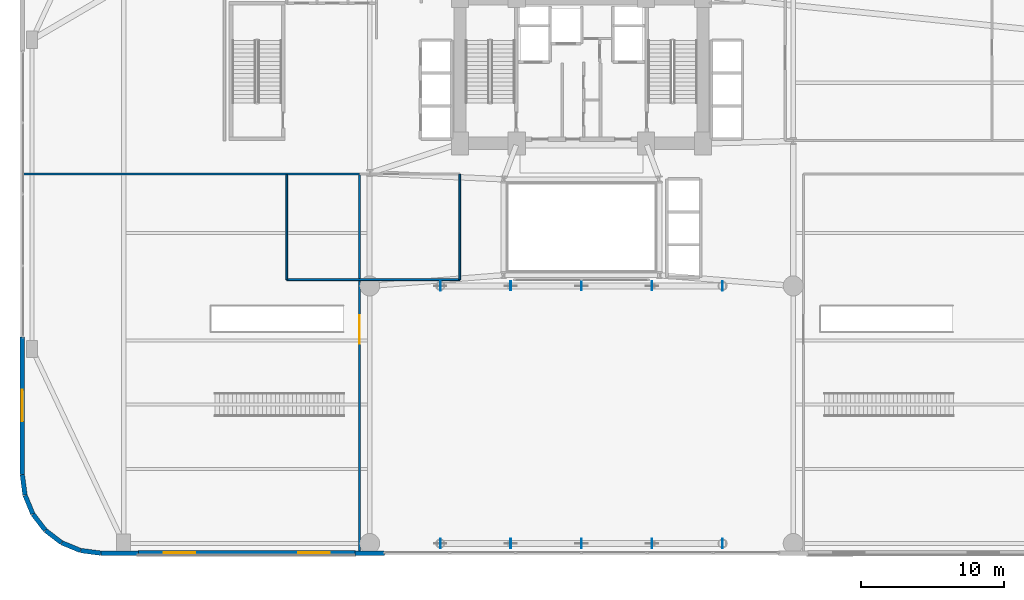
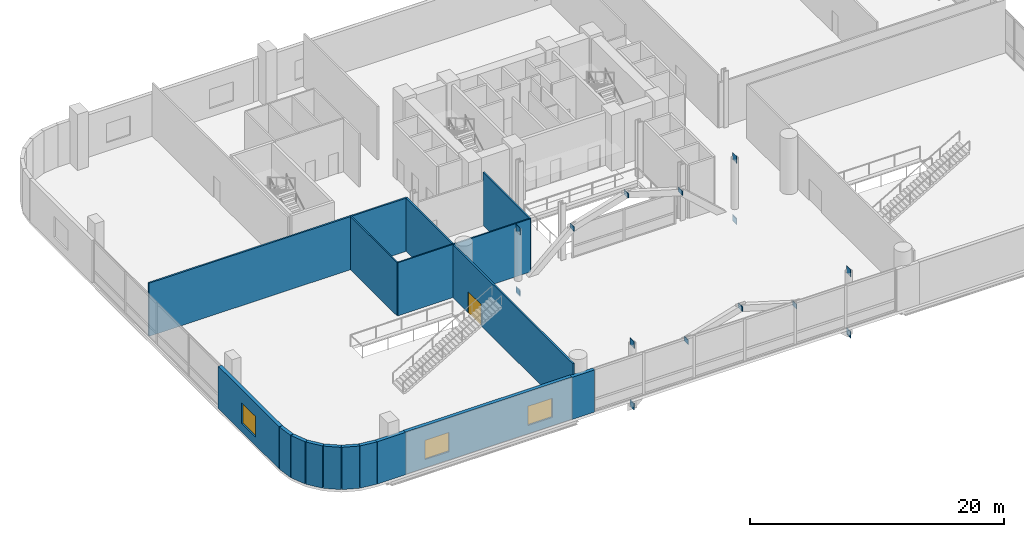
# One storey, part 25 of 36: 24 plates, 15 walls, 3 windows, 1 door, 4 openings.
"""IFC4 building model written with IfcOpenShell, lengths in metres."""

from ifc_helpers import new_model, si_unit, direction, frame, frame_2d, origin, origin_2d, place, context, subcontext, project, spatial, rectangle, extrude, source, transform, mapped, material, layer, layer_set, type_object, element, fill, save


model = new_model("IFC4")

# Units and contexts
model_context = context("Model", 3, precision=1e-05, world=origin(), true_north=direction((0.0, 1.0)))
body_context = subcontext(model_context, "Body", "Model", "MODEL_VIEW")
ifc_project = project(units=[si_unit("LENGTHUNIT", "METRE"), si_unit("AREAUNIT", "SQUARE_METRE"), si_unit("VOLUMEUNIT", "CUBIC_METRE"), si_unit("PLANEANGLEUNIT", "RADIAN"), si_unit("MASSUNIT", "GRAM", prefix="KILO")], contexts=[model_context])

# Site, building, storey
site_placement = place(None, origin())
site = spatial("IfcSite", under=ifc_project, at=site_placement, CompositionType="ELEMENT")
building_placement = place(site_placement, origin())
building = spatial("IfcBuilding", under=site, at=building_placement, Name="Varnelok Gate Tower", CompositionType="ELEMENT")
storey_placement = place(building_placement, frame((0.0, 0.0, 10.800048828125)))
storey = spatial("IfcBuildingStorey", under=building, at=storey_placement, Name="L02", CompositionType="ELEMENT", Elevation=10.800048828125)

# Plates
ifc_material_1 = material(Name="Structural Steel ASTM A572 Grade 50", Category="steel")
ifc_layer_1 = layer(ifc_material_1, 0.030029296875)
ifc_layer_set_1 = layer_set([ifc_layer_1], Name="Structural Steel ASTM A572 Grade 50")
plate_type = type_object("IfcPlateType", Name="PLT-ENDCAP-30", PredefinedType="SHEET", material=ifc_layer_set_1)
shared_shape_1 = source(origin(), body_context, "Body", "SweptSolid", [
    extrude(rectangle(XDim=0.030029296875, YDim=0.639892578125, at=origin_2d()), origin(), (0.0, 0.0, 1.0), 0.43994140625),
])
for number, where, z_axis, x_axis, name in (
    (1, (29.345458984375, 0.800048828125, -1.375732421875), (0.0, 0.0, 1.0), (1.0, 0.0, 0.0), "L02 hollow member sealed end plate 1"),
    (2, (34.25439453125, 0.800048828125, 3.062255859375), (0.0, 0.0, 1.0), (1.0, 0.0, 0.0), "L02 hollow member sealed end plate 2"),
    (3, (34.282470703125, 0.800048828125, 3.078125), (0.0, 0.0, 1.0), (1.0, 0.0, 0.0), "L02 hollow member sealed end plate 1"),
    (4, (39.18408203125, 0.800048828125, 4.55517578125), (0.0, 0.0, 1.0), (1.0, 0.0, 0.0), "L02 hollow member sealed end plate 2"),
    (5, (39.2158203125, 0.800048828125, 4.55517578125), (0.0, 0.0, 1.0), (1.0, 0.0, 0.0), "L02 hollow member sealed end plate 1"),
    (6, (44.117431640625, 0.800048828125, 3.078125), (0.0, 0.0, 1.0), (1.0, 0.0, 0.0), "L02 hollow member sealed end plate 2"),
    (7, (44.1455078125, 0.800048828125, 3.062255859375), (0.0, 0.0, 1.0), (1.0, 0.0, 0.0), "L02 hollow member sealed end plate 1"),
    (8, (49.054443359375, 0.800048828125, -1.375732421875), (0.0, 0.0, 1.0), (1.0, 0.0, 0.0), "L02 hollow member sealed end plate 2"),
    (9, (29.345458984375, 18.800048828125, -1.375732421875), (0.0, 0.0, 1.0), (1.0, 0.0, 0.0), "L02 hollow member sealed end plate 1"),
    (10, (34.25439453125, 18.800048828125, 3.062255859375), (0.0, 0.0, 1.0), (1.0, 0.0, 0.0), "L02 hollow member sealed end plate 2"),
    (11, (34.282470703125, 18.800048828125, 3.078125), (0.0, 0.0, 1.0), (1.0, 0.0, 0.0), "L02 hollow member sealed end plate 1"),
    (12, (39.18408203125, 18.800048828125, 4.55517578125), (0.0, 0.0, 1.0), (1.0, 0.0, 0.0), "L02 hollow member sealed end plate 2"),
    (13, (39.2158203125, 18.800048828125, 4.55517578125), (0.0, 0.0, 1.0), (1.0, 0.0, 0.0), "L02 hollow member sealed end plate 1"),
    (14, (44.117431640625, 18.800048828125, 3.078125), (0.0, 0.0, 1.0), (1.0, 0.0, 0.0), "L02 hollow member sealed end plate 2"),
    (15, (44.1455078125, 18.800048828125, 3.062255859375), (0.0, 0.0, 1.0), (1.0, 0.0, 0.0), "L02 hollow member sealed end plate 1"),
    (16, (49.054443359375, 18.800048828125, -1.375732421875), (0.0, 0.0, 1.0), (1.0, 0.0, 0.0), "L02 hollow member sealed end plate 2"),
):
    element("IfcPlate", number, at=place(storey_placement, frame(where, z_axis=z_axis, x_axis=x_axis)), inside=storey, type_object=plate_type, Name=name, PredefinedType="SHEET", context=body_context, shape_type="MappedRepresentation", body=[
        mapped(shared_shape_1, transform((0.0, 0.0, 0.0), scale=1.0)),
    ])
shared_shape_2 = source(origin(), body_context, "Body", "SweptSolid", [
    extrude(rectangle(XDim=0.030029296875, YDim=0.659912109375, at=origin_2d()), origin(), (0.0, 0.0, 1.0), 0.659912109375),
])
for number, where, z_axis, x_axis, name in (
    (17, (29.333251953125, 0.800048828125, -1.47998046875), (0.0, 0.0, 1.0), (1.0, 0.0, 0.0), "L02 hollow member sealed end plate 1"),
    (18, (29.333251953125, 0.800048828125, 4.45361328125), (0.0, 0.0, 1.0), (1.0, 0.0, 0.0), "L02 hollow member sealed end plate 2"),
    (19, (49.066650390625, 0.800048828125, -1.47998046875), (0.0, 0.0, 1.0), (1.0, 0.0, 0.0), "L02 hollow member sealed end plate 1"),
    (20, (49.066650390625, 0.800048828125, 4.45361328125), (0.0, 0.0, 1.0), (1.0, 0.0, 0.0), "L02 hollow member sealed end plate 2"),
    (21, (29.333251953125, 18.800048828125, -1.47998046875), (0.0, 0.0, 1.0), (1.0, 0.0, 0.0), "L02 hollow member sealed end plate 1"),
    (22, (29.333251953125, 18.800048828125, 4.45361328125), (0.0, 0.0, 1.0), (1.0, 0.0, 0.0), "L02 hollow member sealed end plate 2"),
    (23, (49.066650390625, 18.800048828125, -1.47998046875), (0.0, 0.0, 1.0), (1.0, 0.0, 0.0), "L02 hollow member sealed end plate 1"),
    (24, (49.066650390625, 18.800048828125, 4.45361328125), (0.0, 0.0, 1.0), (1.0, 0.0, 0.0), "L02 hollow member sealed end plate 2"),
):
    element("IfcPlate", number, at=place(storey_placement, frame(where, z_axis=z_axis, x_axis=x_axis)), inside=storey, type_object=plate_type, Name=name, PredefinedType="SHEET", context=body_context, shape_type="MappedRepresentation", body=[
        mapped(shared_shape_2, transform((0.0, 0.0, 0.0), scale=1.0)),
    ])

# Wall, openings, windows
ifc_material_2 = material(Name="Concrete C45/55", Category="concrete")
ifc_layer_2 = layer(ifc_material_2, 0.320068359375)
ifc_layer_set_2 = layer_set([ifc_layer_2], Name="Concrete C45/55")
wall_type_1 = type_object("IfcWallType", Name="EW-POD-320", PredefinedType="SOLIDWALL", material=ifc_layer_set_2)
wall_1_placement = place(storey_placement, frame((23.39990234375, 0.159912109375, 0.0), z_axis=(0.0, 0.0, 1.0), x_axis=(-1.0, 0.0, 0.0)))
wall_1 = element("IfcWall", 25, at=wall_1_placement, inside=storey, type_object=wall_type_1, Name="L02 South Podium Arch Facade Wall 1", PredefinedType="SOLIDWALL", context=body_context, shape_type="SweptSolid", body=[
    extrude(rectangle(XDim=15.199951171875, YDim=0.320068359375, at=frame_2d((7.60009765625, 0.0))), origin(), (0.0, 0.0, 1.0), 4.070068359375),
])
opening_1_placement = place(wall_1_placement, frame((1.800048828125, 0.0, 0.800048828125)))
opening_1 = element("IfcOpeningElement", 26, at=opening_1_placement, cuts=wall_1, Name="Opening WN2", PredefinedType="OPENING", context=body_context, shape_type="SweptSolid", body=[
    extrude(rectangle(XDim=2.199951171875, YDim=1.85009765625, at=frame_2d((1.10009765625, 0.925048828125))), frame((0.0, 0.169921875, 0.0), z_axis=(0.0, -1.0, 0.0), x_axis=(1.0, 0.0, 0.0)), (0.0, 0.0, 1.0), 0.340087890625),
])
opening_2_placement = place(wall_1_placement, frame((11.199951171875, 0.0, 0.800048828125)))
opening_2 = element("IfcOpeningElement", 27, at=opening_2_placement, cuts=wall_1, Name="Opening WN2", PredefinedType="OPENING", context=body_context, shape_type="SweptSolid", body=[
    extrude(rectangle(XDim=2.199951171875, YDim=1.85009765625, at=frame_2d((1.10009765625, 0.925048828125))), frame((0.0, 0.169921875, 0.0), z_axis=(0.0, -1.0, 0.0), x_axis=(1.0, 0.0, 0.0)), (0.0, 0.0, 1.0), 0.340087890625),
])
ifc_material_3 = material(Name="Low-E Laminated Double Glazing IGU", Category="glass")
window_type_1 = type_object("IfcWindowType", Name="WN-POD-2200", PartitioningType="SINGLE_PANEL", PredefinedType="WINDOW", material=ifc_material_3)
window_1_placement = place(opening_1_placement, origin())
window_1 = element("IfcWindow", 28, at=window_1_placement, inside=storey, type_object=window_type_1, Name="L02 Podium Arch Facade Window S1.1", OverallHeight=1.85009765625, OverallWidth=2.199951171875, PartitioningType="SINGLE_PANEL", PredefinedType="WINDOW", context=body_context, shape_type="SweptSolid", body=[
    extrude(rectangle(XDim=2.199951171875, YDim=1.85009765625, at=frame_2d((1.10009765625, 0.925048828125))), frame((0.0, 0.030029296875, 0.0), z_axis=(0.0, -1.0, 0.0), x_axis=(1.0, 0.0, 0.0)), (0.0, 0.0, 1.0), 0.06005859375),
])
fill(opening_1, window_1)
window_2_placement = place(opening_2_placement, origin())
window_2 = element("IfcWindow", 29, at=window_2_placement, inside=storey, type_object=window_type_1, Name="L02 Podium Arch Facade Window S1.2", OverallHeight=1.85009765625, OverallWidth=2.199951171875, PartitioningType="SINGLE_PANEL", PredefinedType="WINDOW", context=body_context, shape_type="SweptSolid", body=[
    extrude(rectangle(XDim=2.199951171875, YDim=1.85009765625, at=frame_2d((1.10009765625, 0.925048828125))), frame((0.0, 0.030029296875, 0.0), z_axis=(0.0, -1.0, 0.0), x_axis=(1.0, 0.0, 0.0)), (0.0, 0.0, 1.0), 0.06005859375),
])
fill(opening_2, window_2)

# Walls
wall_2_placement = place(storey_placement, frame((0.1201171875, 5.60791015625, 0.0), z_axis=(0.0, 0.0, 1.0), x_axis=(0.130362303307, -0.991466423978, 0.0)))
element("IfcWall", 30, at=wall_2_placement, inside=storey, type_object=wall_type_1, Name="L02 Perimeter Facade Closure Wall 1", PredefinedType="SOLIDWALL", context=body_context, shape_type="SweptSolid", body=[
    extrude(rectangle(XDim=1.438232421875, YDim=0.320068359375, at=frame_2d((0.71923828125, 0.0))), origin(), (0.0, 0.0, 1.0), 4.070068359375),
])
wall_3_placement = place(storey_placement, frame((0.3173828125, 4.15869140625, 0.0), z_axis=(0.0, 0.0, 1.0), x_axis=(0.382628033724, -0.923902477434, 0.0)))
element("IfcWall", 31, at=wall_3_placement, inside=storey, type_object=wall_type_1, Name="L02 Perimeter Facade Closure Wall 2", PredefinedType="SOLIDWALL", context=body_context, shape_type="SweptSolid", body=[
    extrude(rectangle(XDim=1.405029296875, YDim=0.320068359375, at=frame_2d((0.70263671875, 0.0))), origin(), (0.0, 0.0, 1.0), 4.070068359375),
])
wall_4_placement = place(storey_placement, frame((0.870361328125, 2.8408203125, 0.0), z_axis=(0.0, 0.0, 1.0), x_axis=(0.60871962085, -0.79338541907, 0.0)))
element("IfcWall", 32, at=wall_4_placement, inside=storey, type_object=wall_type_1, Name="L02 Perimeter Facade Closure Wall 3", PredefinedType="SOLIDWALL", context=body_context, shape_type="SweptSolid", body=[
    extrude(rectangle(XDim=1.4052734375, YDim=0.320068359375, at=frame_2d((0.70263671875, 0.0))), origin(), (0.0, 0.0, 1.0), 4.070068359375),
])
for number, where, z_axis, x_axis, name in (
    (33, (1.74560546875, 1.710693359375, 0.0), (0.0, 0.0, 1.0), (0.793301521807, -0.608828954222, 0.0), "L02 Perimeter Facade Closure Wall 4"),
    (34, (2.883544921875, 0.845703125, 0.0), (0.0, 0.0, 1.0), (0.923805060986, -0.382863173075, 0.0), "L02 Perimeter Facade Closure Wall 5"),
):
    element("IfcWall", number, at=place(storey_placement, frame(where, z_axis=z_axis, x_axis=x_axis)), inside=storey, type_object=wall_type_1, Name=name, PredefinedType="SOLIDWALL", context=body_context, shape_type="SweptSolid", body=[
        extrude(rectangle(XDim=1.405517578125, YDim=0.320068359375, at=frame_2d((0.70263671875, 0.0))), origin(), (0.0, 0.0, 1.0), 4.070068359375),
    ])
wall_5_placement = place(storey_placement, frame((4.206787109375, 0.304443359375, 0.0), z_axis=(0.0, 0.0, 1.0), x_axis=(0.991457235349, -0.130432168094, 0.0)))
element("IfcWall", 35, at=wall_5_placement, inside=storey, type_object=wall_type_1, Name="L02 Perimeter Facade Closure Wall 6", PredefinedType="SOLIDWALL", context=body_context, shape_type="SweptSolid", body=[
    extrude(rectangle(XDim=1.4130859375, YDim=0.320068359375, at=frame_2d((0.70654296875, 0.0))), origin(), (0.0, 0.0, 1.0), 4.070068359375),
])
wall_6_placement = place(storey_placement, frame((5.6328125, 0.1201171875, 0.0), z_axis=(0.0, 0.0, 1.0), x_axis=(1.0, 0.0, 0.0)))
element("IfcWall", 36, at=wall_6_placement, inside=storey, type_object=wall_type_1, Name="L02 Perimeter Facade Closure Wall 7", PredefinedType="SOLIDWALL", context=body_context, shape_type="SweptSolid", body=[
    extrude(rectangle(XDim=2.59716796875, YDim=0.320068359375, at=frame_2d((1.298583984375, 0.0))), origin(), (0.0, 0.0, 1.0), 4.070068359375),
])
wall_7_placement = place(storey_placement, frame((23.3701171875, 0.1201171875, 0.0), z_axis=(0.0, 0.0, 1.0), x_axis=(1.0, 0.0, 0.0)))
element("IfcWall", 37, at=wall_7_placement, inside=storey, type_object=wall_type_1, Name="L02 Perimeter Facade Closure Wall 8", PredefinedType="SOLIDWALL", context=body_context, shape_type="SweptSolid", body=[
    extrude(rectangle(XDim=2.059814453125, YDim=0.320068359375, at=frame_2d((1.02978515625, 0.0))), origin(), (0.0, 0.0, 1.0), 4.070068359375),
])

# Wall, opening, window
wall_8_placement = place(storey_placement, frame((0.1201171875, 15.22998046875, 0.0), z_axis=(0.0, 0.0, 1.0), x_axis=(0.0, -1.0, 0.0)))
wall_8 = element("IfcWall", 38, at=wall_8_placement, inside=storey, type_object=wall_type_1, Name="L02 Perimeter Facade Closure Wall 36", PredefinedType="SOLIDWALL", context=body_context, shape_type="SweptSolid", body=[
    extrude(rectangle(XDim=9.59716796875, YDim=0.320068359375, at=frame_2d((4.798583984375, 0.0))), origin(), (0.0, 0.0, 1.0), 4.070068359375),
])
opening_3_placement = place(wall_8_placement, frame((3.698486328125, 0.0, 0.800048828125)))
opening_3 = element("IfcOpeningElement", 39, at=opening_3_placement, cuts=wall_8, Name="Opening WN2A", PredefinedType="OPENING", context=body_context, shape_type="SweptSolid", body=[
    extrude(rectangle(XDim=2.199951171875, YDim=2.0, at=frame_2d((1.10009765625, 1.0))), frame((0.0, 0.169921875, 0.0), z_axis=(0.0, -1.0, 0.0), x_axis=(1.0, 0.0, 0.0)), (0.0, 0.0, 1.0), 0.340087890625),
])
window_type_2 = type_object("IfcWindowType", Name="WN-POD-2200X2000", PartitioningType="SINGLE_PANEL", PredefinedType="WINDOW", material=ifc_material_3)
window_3_placement = place(opening_3_placement, origin())
window_3 = element("IfcWindow", 40, at=window_3_placement, inside=storey, type_object=window_type_2, Name="L02 Perimeter Vision Window 36", OverallHeight=2.0, OverallWidth=2.199951171875, PartitioningType="SINGLE_PANEL", PredefinedType="WINDOW", context=body_context, shape_type="SweptSolid", body=[
    extrude(rectangle(XDim=2.199951171875, YDim=2.0, at=frame_2d((1.10009765625, 1.0))), frame((0.0, 0.030029296875, 0.0), z_axis=(0.0, -1.0, 0.0), x_axis=(1.0, 0.0, 0.0)), (0.0, 0.0, 1.0), 0.06005859375),
])
fill(opening_3, window_3)

# Walls
ifc_material_4 = material(Name="Gypsum Plasterboard Acoustic Partition", Category="gypsum")
ifc_layer_3 = layer(ifc_material_4, 0.125)
ifc_layer_set_3 = layer_set([ifc_layer_3], Name="Gypsum Plasterboard Acoustic Partition")
wall_type_2 = type_object("IfcWallType", Name="PW-PART-125", PredefinedType="PARTITIONING", material=ifc_layer_set_3)
wall_9_placement = place(storey_placement, frame((30.699951171875, 19.239990234375, 0.0), z_axis=(0.0, 0.0, 1.0), x_axis=(0.0, 1.0, 0.0)))
element("IfcWall", 41, at=wall_9_placement, inside=storey, type_object=wall_type_2, Name="Interior Partition", PredefinedType="PARTITIONING", context=body_context, shape_type="SweptSolid", body=[
    extrude(rectangle(XDim=7.380126953125, YDim=0.125, at=frame_2d((3.68994140625, 0.0))), origin(), (0.0, 0.0, 1.0), 5.119873046875),
])
wall_10_placement = place(storey_placement, frame((18.60009765625, 19.239990234375, 0.0), z_axis=(0.0, 0.0, 1.0), x_axis=(0.0, 1.0, 0.0)))
element("IfcWall", 42, at=wall_10_placement, inside=storey, type_object=wall_type_2, Name="Interior Partition", PredefinedType="PARTITIONING", context=body_context, shape_type="SweptSolid", body=[
    extrude(rectangle(XDim=7.340087890625, YDim=0.125, at=frame_2d((3.669921875, 0.0))), origin(), (0.0, 0.0, 1.0), 5.119873046875),
])
wall_11_placement = place(storey_placement, frame((18.60009765625, 19.239990234375, 0.0), z_axis=(0.0, 0.0, 1.0), x_axis=(1.0, 0.0, 0.0)))
element("IfcWall", 43, at=wall_11_placement, inside=storey, type_object=wall_type_2, Name="Interior Partition", PredefinedType="PARTITIONING", context=body_context, shape_type="SweptSolid", body=[
    extrude(rectangle(XDim=12.099853515625, YDim=0.125, at=frame_2d((6.0498046875, 0.0))), origin(), (0.0, 0.0, 1.0), 5.119873046875),
])

# Wall, opening, door
ifc_layer_4 = layer(ifc_material_4, 0.14990234375)
ifc_layer_set_4 = layer_set([ifc_layer_4], Name="Gypsum Plasterboard Acoustic Partition")
wall_type_3 = type_object("IfcWallType", Name="PW-PART-150", PredefinedType="PARTITIONING", material=ifc_layer_set_4)
wall_12_placement = place(storey_placement, frame((23.679931640625, 0.25, 0.0), z_axis=(0.0, 0.0, 1.0), x_axis=(0.0, 1.0, 0.0)))
wall_12 = element("IfcWall", 44, at=wall_12_placement, inside=storey, type_object=wall_type_3, Name="Interior Partition", PredefinedType="PARTITIONING", context=body_context, shape_type="SweptSolid", body=[
    extrude(rectangle(XDim=26.3701171875, YDim=0.14990234375, at=frame_2d((13.18505859375, 0.0))), origin(), (0.0, 0.0, 1.0), 5.119873046875),
])
opening_4_placement = place(wall_12_placement, frame((14.514404296875, 0.0, 0.0)))
opening_4 = element("IfcOpeningElement", 45, at=opening_4_placement, cuts=wall_12, Name="Opening D-BL", PredefinedType="OPENING", context=body_context, shape_type="SweptSolid", body=[
    extrude(rectangle(XDim=2.0, YDim=2.050048828125, at=frame_2d((1.0, 1.02490234375))), frame((0.0, 0.0849609375, 0.0), z_axis=(0.0, -1.0, 0.0), x_axis=(1.0, 0.0, 0.0)), (0.0, 0.0, 1.0), 0.169921875),
])
ifc_material_5 = material(Name="Engineered Hardwood Timber", Category="wood")
door_type = type_object("IfcDoorType", Name="DR-BALL-2000", OperationType="DOUBLE_DOOR_SINGLE_SWING", PredefinedType="DOOR", material=ifc_material_5)
door_placement = place(opening_4_placement, origin())
door = element("IfcDoor", 46, at=door_placement, inside=storey, type_object=door_type, Name="L02 Exhibition Gallery Door", OperationType="DOUBLE_DOOR_SINGLE_SWING", OverallHeight=2.050048828125, OverallWidth=2.0, PredefinedType="DOOR", context=body_context, shape_type="SweptSolid", body=[
    extrude(rectangle(XDim=2.0, YDim=2.050048828125, at=frame_2d((1.0, 1.02490234375))), frame((0.0, 0.02490234375, 0.0), z_axis=(0.0, -1.0, 0.0), x_axis=(1.0, 0.0, 0.0)), (0.0, 0.0, 1.0), 0.050048828125),
])
fill(opening_4, door)

# Wall
wall_13_placement = place(storey_placement, frame((0.199951171875, 26.6201171875, 0.0), z_axis=(0.0, 0.0, 1.0), x_axis=(1.0, 0.0, 0.0)))
element("IfcWall", 47, at=wall_13_placement, inside=storey, type_object=wall_type_3, Name="Interior Partition", PredefinedType="PARTITIONING", context=body_context, shape_type="SweptSolid", body=[
    extrude(rectangle(XDim=23.47998046875, YDim=0.14990234375, at=frame_2d((11.739990234375, 0.0))), origin(), (0.0, 0.0, 1.0), 5.119873046875),
])

save(model, "model.ifc")
